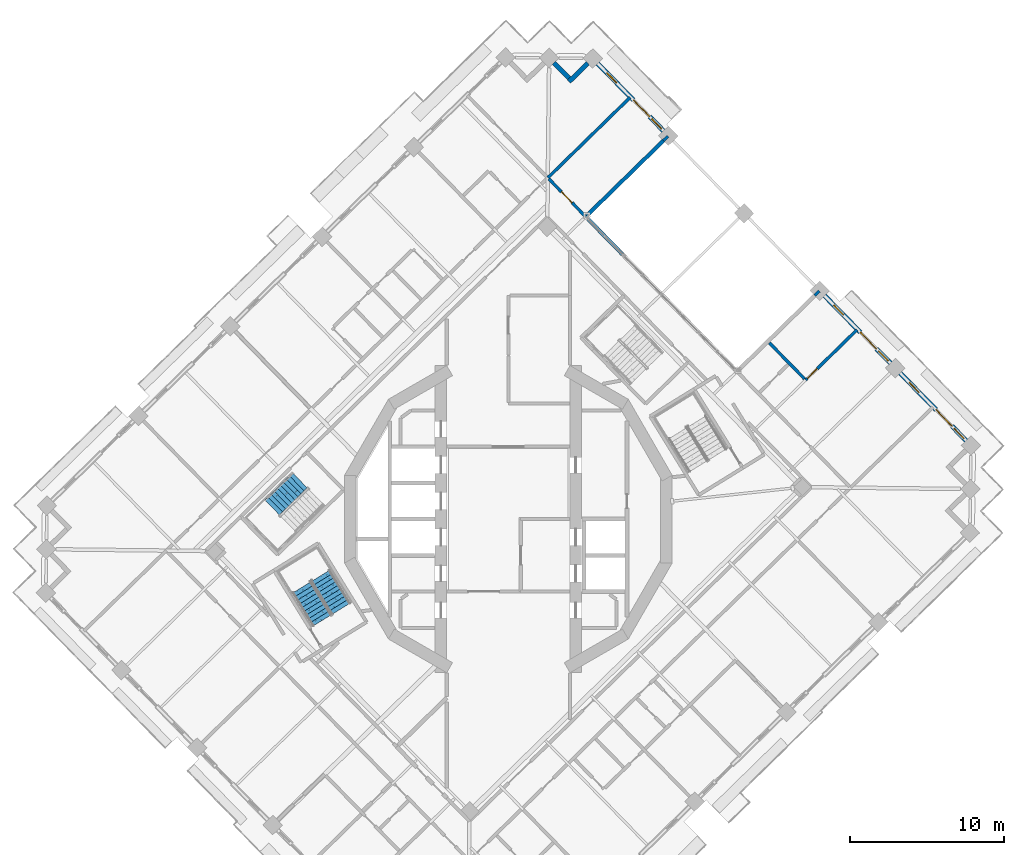
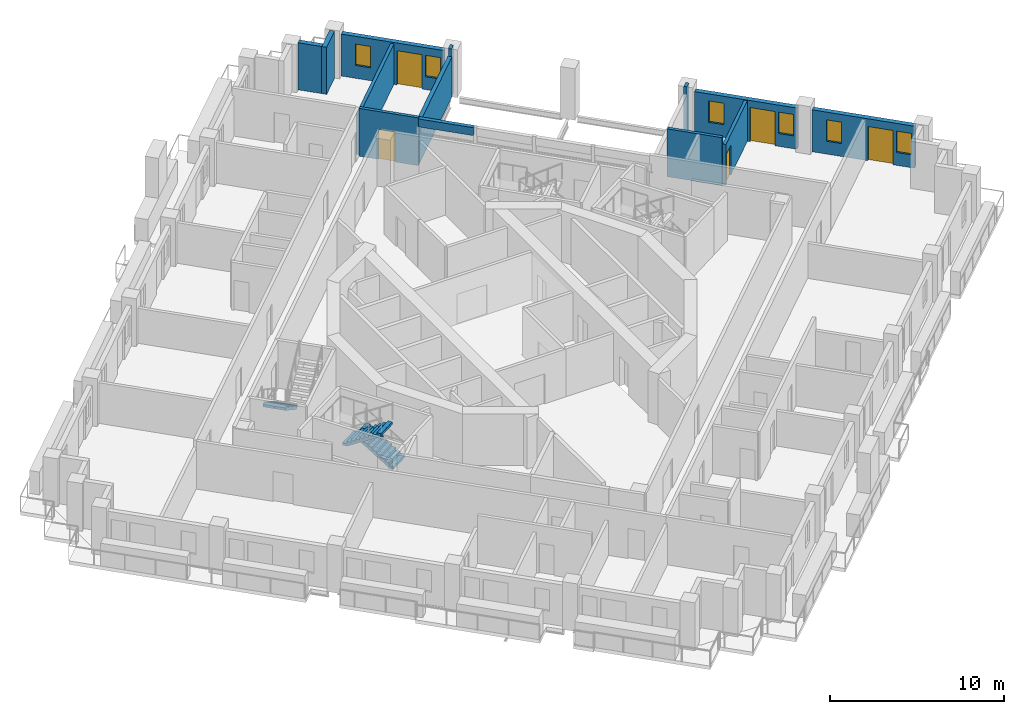
# One storey, part 13 of 20: 13 walls, 6 windows, 5 doors, 3 stair flights, 11 openings, 2 elements without a shape of their own.
"""IFC4 building model written with IfcOpenShell, lengths in metres."""

from ifc_helpers import new_model, si_unit, direction, frame, frame_2d, origin, place, context, subcontext, project, spatial, polyline, rectangle, outline, extrude, material, layer, layer_set, type_object, element, fill, aggregate, save


model = new_model("IFC4")

# Units and contexts
model_context = context("Model", 3, precision=1e-05, world=origin(), true_north=direction((0.0, 1.0)))
body_context = subcontext(model_context, "Body", "Model", "MODEL_VIEW")
ifc_project = project(units=[si_unit("LENGTHUNIT", "METRE"), si_unit("AREAUNIT", "SQUARE_METRE"), si_unit("VOLUMEUNIT", "CUBIC_METRE"), si_unit("PLANEANGLEUNIT", "RADIAN"), si_unit("MASSUNIT", "GRAM", prefix="KILO")], contexts=[model_context])

# Site, building, storey
site_placement = place(None, origin())
site = spatial("IfcSite", under=ifc_project, at=site_placement, CompositionType="ELEMENT")
building_placement = place(site_placement, origin())
building = spatial("IfcBuilding", under=site, at=building_placement, Name="Cantera Rosa Tower", CompositionType="ELEMENT")
storey_placement = place(building_placement, frame((0.0, 0.0, 212.60009765625)))
storey = spatial("IfcBuildingStorey", under=building, at=storey_placement, Name="L45", CompositionType="ELEMENT", Elevation=212.60009765625)

# Wall, opening, door
ifc_material_1 = material(Name="Gypsum board partition")
ifc_layer_1 = layer(ifc_material_1, 0.199951171875)
ifc_layer_set_1 = layer_set([ifc_layer_1], Name="CORRIDOR WALL 200 H3350")
wall_type_1 = type_object("IfcWallType", Name="CORRIDOR WALL 200 H3350", PredefinedType="PARTITIONING", material=ifc_layer_set_1)
wall_1_placement = place(storey_placement, frame((5.10302734375, 19.5322265625, 0.0), z_axis=(0.0, 0.0, 1.0), x_axis=(-0.698794436322, 0.715322539674, 0.0)))
wall_1 = element("IfcWall", 1, at=wall_1_placement, inside=storey, type_object=wall_type_1, Name="CORRIDOR WALL L45-128", PredefinedType="PARTITIONING", context=body_context, shape_type="SweptSolid", body=[
    extrude(rectangle(XDim=3.545166015625, YDim=0.199951171875, at=frame_2d((1.7724609375, 0.0))), origin(), (0.0, 0.0, 1.0), 3.349853515625),
])
opening_1_placement = place(wall_1_placement, frame((1.385009765625, 0.0, 0.0)))
opening_1 = element("IfcOpeningElement", 2, at=opening_1_placement, cuts=wall_1, Name="Opening L45-026", PredefinedType="OPENING", context=body_context, shape_type="SweptSolid", body=[
    extrude(rectangle(XDim=1.0, YDim=2.10009765625, at=frame_2d((0.5, 1.050048828125))), frame((0.0, 0.10986328125, 0.0), z_axis=(0.0, -1.0, 0.0), x_axis=(1.0, 0.0, 0.0)), (0.0, 0.0, 1.0), 0.219970703125),
])
ifc_material_2 = material(Name="Timber door leaf", Category="wood")
door_type_1 = type_object("IfcDoorType", Name="ROOM DOOR 1000x2100", OperationType="NOTDEFINED", PredefinedType="DOOR", material=ifc_material_2)
door_1_placement = place(opening_1_placement, origin())
door_1 = element("IfcDoor", 3, at=door_1_placement, inside=storey, type_object=door_type_1, Name="DOOR L45-026", OperationType="NOTDEFINED", OverallHeight=2.10009765625, OverallWidth=1.0, PredefinedType="DOOR", context=body_context, shape_type="SweptSolid", body=[
    extrude(rectangle(XDim=1.0, YDim=2.10009765625, at=frame_2d((0.5, 1.050048828125))), frame((0.0, 0.02490234375, 0.0), z_axis=(0.0, -1.0, 0.0), x_axis=(1.0, 0.0, 0.0)), (0.0, 0.0, 1.0), 0.050048828125),
])
fill(opening_1, door_1)

# Walls
ifc_material_3 = material(Name="Hollow clay masonry with cantera stone cladding", Category="masonry")
ifc_layer_2 = layer(ifc_material_3, 0.300048828125)
ifc_layer_set_2 = layer_set([ifc_layer_2], Name="EW-LOGGIA 300")
wall_type_2 = type_object("IfcWallType", Name="EW-LOGGIA 300", PredefinedType="SOLIDWALL", material=ifc_layer_set_2)
wall_2_placement = place(storey_placement, frame((5.15283203125, 29.56982421875, 0.0), z_axis=(0.0, 0.0, 1.0), x_axis=(-0.715316077832, -0.69880105094, 0.0)))
element("IfcWall", 4, at=wall_2_placement, inside=storey, type_object=wall_type_2, Name="EN-L45-W05a", PredefinedType="SOLIDWALL", context=body_context, shape_type="SweptSolid", body=[
    extrude(rectangle(XDim=1.699951171875, YDim=0.300048828125, at=frame_2d((0.85009765625, 0.0))), origin(), (0.0, 0.0, 1.0), 3.2998046875),
])
wall_3_placement = place(storey_placement, frame((3.939208984375, 28.593994140625, 0.0), z_axis=(0.0, 0.0, 1.0), x_axis=(-0.698861982187, 0.715256548278, 0.0)))
element("IfcWall", 5, at=wall_3_placement, inside=storey, type_object=wall_type_2, Name="EN-L45-W05b", PredefinedType="SOLIDWALL", context=body_context, shape_type="SweptSolid", body=[
    extrude(rectangle(XDim=1.39990234375, YDim=0.300048828125, at=frame_2d((0.699951171875, 0.0))), origin(), (0.0, 0.0, 1.0), 3.2998046875),
])

# Wall, openings, windows, door
ifc_material_4 = material(Name="Hollow clay masonry with cantera stone cladding", Category="masonry")
ifc_layer_3 = layer(ifc_material_4, 0.300048828125)
ifc_layer_set_3 = layer_set([ifc_layer_3], Name="EW-LOGGIA 300 H2890")
wall_type_3 = type_object("IfcWallType", Name="EW-LOGGIA 300 H2890", PredefinedType="SOLIDWALL", material=ifc_layer_set_3)
wall_4_placement = place(storey_placement, frame((24.783203125, 10.120849609375, 0.0), z_axis=(0.0, 0.0, 1.0), x_axis=(-0.698800768177, 0.715316354067, 0.0)))
wall_4 = element("IfcWall", 6, at=wall_4_placement, inside=storey, type_object=wall_type_3, Name="EN-L45-W01", PredefinedType="SOLIDWALL", context=body_context, shape_type="SweptSolid", body=[
    extrude(rectangle(XDim=6.119873046875, YDim=0.300048828125, at=frame_2d((3.06005859375, 0.0))), origin(), (0.0, 0.0, 1.0), 2.889892578125),
])
opening_2_placement = place(wall_4_placement, frame((0.199951171875, 0.0, 0.89990234375)))
opening_2 = element("IfcOpeningElement", 7, at=opening_2_placement, cuts=wall_4, Name="Opening L45-W01", PredefinedType="OPENING", context=body_context, shape_type="SweptSolid", body=[
    extrude(rectangle(XDim=0.89990234375, YDim=1.5, at=frame_2d((0.449951171875, 0.75))), frame((0.0, 0.159912109375, 0.0), z_axis=(0.0, -1.0, 0.0), x_axis=(1.0, 0.0, 0.0)), (0.0, 0.0, 1.0), 0.320068359375),
])
opening_3_placement = place(wall_4_placement, frame((1.300048828125, 0.0, 0.0)))
opening_3 = element("IfcOpeningElement", 8, at=opening_3_placement, cuts=wall_4, Name="Opening L45-TD02", PredefinedType="OPENING", context=body_context, shape_type="SweptSolid", body=[
    extrude(rectangle(XDim=1.5, YDim=2.39990234375, at=frame_2d((0.75, 1.199951171875))), frame((0.0, 0.159912109375, 0.0), z_axis=(0.0, -1.0, 0.0), x_axis=(1.0, 0.0, 0.0)), (0.0, 0.0, 1.0), 0.320068359375),
])
opening_4_placement = place(wall_4_placement, frame((4.364990234375, 0.0, 0.89990234375)))
opening_4 = element("IfcOpeningElement", 9, at=opening_4_placement, cuts=wall_4, Name="Opening L45-W03", PredefinedType="OPENING", context=body_context, shape_type="SweptSolid", body=[
    extrude(rectangle(XDim=0.89990234375, YDim=1.5, at=frame_2d((0.449951171875, 0.75))), frame((0.0, 0.159912109375, 0.0), z_axis=(0.0, -1.0, 0.0), x_axis=(1.0, 0.0, 0.0)), (0.0, 0.0, 1.0), 0.320068359375),
])
ifc_material_5 = material(Name="Aluminium frame with clear glass", Category="aluminium")
window_type = type_object("IfcWindowType", Name="Residential window 900x1500", PartitioningType="SINGLE_PANEL", PredefinedType="WINDOW", material=ifc_material_5)
window_1_placement = place(opening_2_placement, origin())
window_1 = element("IfcWindow", 10, at=window_1_placement, inside=storey, type_object=window_type, Name="WINDOW L45-W01", OverallHeight=1.5, OverallWidth=0.89990234375, PartitioningType="SINGLE_PANEL", PredefinedType="WINDOW", context=body_context, shape_type="SweptSolid", body=[
    extrude(rectangle(XDim=0.89990234375, YDim=1.5, at=frame_2d((0.449951171875, 0.75))), frame((0.0, 0.030029296875, 0.0), z_axis=(0.0, -1.0, 0.0), x_axis=(1.0, 0.0, 0.0)), (0.0, 0.0, 1.0), 0.06005859375),
])
fill(opening_2, window_1)
window_2_placement = place(opening_4_placement, origin())
window_2 = element("IfcWindow", 11, at=window_2_placement, inside=storey, type_object=window_type, Name="WINDOW L45-W03", OverallHeight=1.5, OverallWidth=0.89990234375, PartitioningType="SINGLE_PANEL", PredefinedType="WINDOW", context=body_context, shape_type="SweptSolid", body=[
    extrude(rectangle(XDim=0.89990234375, YDim=1.5, at=frame_2d((0.449951171875, 0.75))), frame((0.0, 0.030029296875, 0.0), z_axis=(0.0, -1.0, 0.0), x_axis=(1.0, 0.0, 0.0)), (0.0, 0.0, 1.0), 0.06005859375),
])
fill(opening_4, window_2)
ifc_material_6 = material(Name="Aluminium frame with clear glass", Category="aluminium")
door_type_2 = type_object("IfcDoorType", Name="TD-R 1500x2400", OperationType="NOTDEFINED", PredefinedType="DOOR", material=ifc_material_6)
door_2_placement = place(opening_3_placement, origin())
door_2 = element("IfcDoor", 12, at=door_2_placement, inside=storey, type_object=door_type_2, Name="LOGGIA DOOR L45-TD02", OperationType="SLIDING_TO_LEFT", OverallHeight=2.39990234375, OverallWidth=1.5, PredefinedType="DOOR", context=body_context, shape_type="SweptSolid", body=[
    extrude(rectangle(XDim=1.5, YDim=2.39990234375, at=frame_2d((0.75, 1.199951171875))), frame((0.0, 0.02490234375, 0.0), z_axis=(0.0, -1.0, 0.0), x_axis=(1.0, 0.0, 0.0)), (0.0, 0.0, 1.0), 0.050048828125),
])
fill(opening_3, door_2)

ifc_material_7 = material(Name="Hollow clay masonry with cantera stone cladding", Category="masonry")
ifc_layer_4 = layer(ifc_material_7, 0.300048828125)
ifc_layer_set_4 = layer_set([ifc_layer_4], Name="EW-LOGGIA 300 H2940")
wall_type_4 = type_object("IfcWallType", Name="EW-LOGGIA 300 H2940", PredefinedType="SOLIDWALL", material=ifc_layer_set_4)
wall_5_placement = place(storey_placement, frame((10.06591796875, 25.184814453125, 0.0), z_axis=(0.0, 0.0, 1.0), x_axis=(-0.69882117953, 0.715296413412, 0.0)))
wall_5 = element("IfcWall", 13, at=wall_5_placement, inside=storey, type_object=wall_type_4, Name="EN-L45-W04", PredefinedType="SOLIDWALL", context=body_context, shape_type="SweptSolid", body=[
    extrude(rectangle(XDim=6.1201171875, YDim=0.300048828125, at=frame_2d((3.06005859375, 0.0))), origin(), (0.0, 0.0, 1.0), 2.93994140625),
])
opening_5_placement = place(wall_5_placement, frame((0.199951171875, 0.0, 0.89990234375)))
opening_5 = element("IfcOpeningElement", 14, at=opening_5_placement, cuts=wall_5, Name="Opening L45-W04", PredefinedType="OPENING", context=body_context, shape_type="SweptSolid", body=[
    extrude(rectangle(XDim=0.89990234375, YDim=1.5, at=frame_2d((0.449951171875, 0.75))), frame((0.0, 0.159912109375, 0.0), z_axis=(0.0, -1.0, 0.0), x_axis=(1.0, 0.0, 0.0)), (0.0, 0.0, 1.0), 0.320068359375),
])
opening_6_placement = place(wall_5_placement, frame((1.300048828125, 0.0, 0.0)))
opening_6 = element("IfcOpeningElement", 15, at=opening_6_placement, cuts=wall_5, Name="Opening L45-TD05", PredefinedType="OPENING", context=body_context, shape_type="SweptSolid", body=[
    extrude(rectangle(XDim=1.5, YDim=2.39990234375, at=frame_2d((0.75, 1.199951171875))), frame((0.0, 0.159912109375, 0.0), z_axis=(0.0, -1.0, 0.0), x_axis=(1.0, 0.0, 0.0)), (0.0, 0.0, 1.0), 0.320068359375),
])
opening_7_placement = place(wall_5_placement, frame((4.364990234375, 0.0, 0.89990234375)))
opening_7 = element("IfcOpeningElement", 16, at=opening_7_placement, cuts=wall_5, Name="Opening L45-W06", PredefinedType="OPENING", context=body_context, shape_type="SweptSolid", body=[
    extrude(rectangle(XDim=0.89990234375, YDim=1.5, at=frame_2d((0.449951171875, 0.75))), frame((0.0, 0.159912109375, 0.0), z_axis=(0.0, -1.0, 0.0), x_axis=(1.0, 0.0, 0.0)), (0.0, 0.0, 1.0), 0.320068359375),
])
window_3_placement = place(opening_5_placement, origin())
window_3 = element("IfcWindow", 17, at=window_3_placement, inside=storey, type_object=window_type, Name="WINDOW L45-W04", OverallHeight=1.5, OverallWidth=0.89990234375, PartitioningType="SINGLE_PANEL", PredefinedType="WINDOW", context=body_context, shape_type="SweptSolid", body=[
    extrude(rectangle(XDim=0.89990234375, YDim=1.5, at=frame_2d((0.449951171875, 0.75))), frame((0.0, 0.030029296875, 0.0), z_axis=(0.0, -1.0, 0.0), x_axis=(1.0, 0.0, 0.0)), (0.0, 0.0, 1.0), 0.06005859375),
])
fill(opening_5, window_3)
window_4_placement = place(opening_7_placement, origin())
window_4 = element("IfcWindow", 18, at=window_4_placement, inside=storey, type_object=window_type, Name="WINDOW L45-W06", OverallHeight=1.5, OverallWidth=0.89990234375, PartitioningType="SINGLE_PANEL", PredefinedType="WINDOW", context=body_context, shape_type="SweptSolid", body=[
    extrude(rectangle(XDim=0.89990234375, YDim=1.5, at=frame_2d((0.449951171875, 0.75))), frame((0.0, 0.030029296875, 0.0), z_axis=(0.0, -1.0, 0.0), x_axis=(1.0, 0.0, 0.0)), (0.0, 0.0, 1.0), 0.06005859375),
])
fill(opening_7, window_4)
door_3_placement = place(opening_6_placement, origin())
door_3 = element("IfcDoor", 19, at=door_3_placement, inside=storey, type_object=door_type_2, Name="LOGGIA DOOR L45-TD05", OperationType="SLIDING_TO_LEFT", OverallHeight=2.39990234375, OverallWidth=1.5, PredefinedType="DOOR", context=body_context, shape_type="SweptSolid", body=[
    extrude(rectangle(XDim=1.5, YDim=2.39990234375, at=frame_2d((0.75, 1.199951171875))), frame((0.0, 0.02490234375, 0.0), z_axis=(0.0, -1.0, 0.0), x_axis=(1.0, 0.0, 0.0)), (0.0, 0.0, 1.0), 0.050048828125),
])
fill(opening_6, door_3)

wall_6_placement = place(storey_placement, frame((29.689208984375, 5.099609375, 0.0), z_axis=(0.0, 0.0, 1.0), x_axis=(-0.69882117953, 0.715296413412, 0.0)))
wall_6 = element("IfcWall", 20, at=wall_6_placement, inside=storey, type_object=wall_type_4, Name="EN-L45-W28", PredefinedType="SOLIDWALL", context=body_context, shape_type="SweptSolid", body=[
    extrude(rectangle(XDim=6.1201171875, YDim=0.300048828125, at=frame_2d((3.06005859375, 0.0))), origin(), (0.0, 0.0, 1.0), 2.93994140625),
])
opening_8_placement = place(wall_6_placement, frame((0.199951171875, 0.0, 0.89990234375)))
opening_8 = element("IfcOpeningElement", 21, at=opening_8_placement, cuts=wall_6, Name="Opening L45-W52", PredefinedType="OPENING", context=body_context, shape_type="SweptSolid", body=[
    extrude(rectangle(XDim=0.89990234375, YDim=1.5, at=frame_2d((0.449951171875, 0.75))), frame((0.0, 0.159912109375, 0.0), z_axis=(0.0, -1.0, 0.0), x_axis=(1.0, 0.0, 0.0)), (0.0, 0.0, 1.0), 0.320068359375),
])
opening_9_placement = place(wall_6_placement, frame((1.300048828125, 0.0, 0.0)))
opening_9 = element("IfcOpeningElement", 22, at=opening_9_placement, cuts=wall_6, Name="Opening L45-TD53", PredefinedType="OPENING", context=body_context, shape_type="SweptSolid", body=[
    extrude(rectangle(XDim=1.5, YDim=2.39990234375, at=frame_2d((0.75, 1.199951171875))), frame((0.0, 0.159912109375, 0.0), z_axis=(0.0, -1.0, 0.0), x_axis=(1.0, 0.0, 0.0)), (0.0, 0.0, 1.0), 0.320068359375),
])
opening_10_placement = place(wall_6_placement, frame((4.364990234375, 0.0, 0.89990234375)))
opening_10 = element("IfcOpeningElement", 23, at=opening_10_placement, cuts=wall_6, Name="Opening L45-W54", PredefinedType="OPENING", context=body_context, shape_type="SweptSolid", body=[
    extrude(rectangle(XDim=0.89990234375, YDim=1.5, at=frame_2d((0.449951171875, 0.75))), frame((0.0, 0.159912109375, 0.0), z_axis=(0.0, -1.0, 0.0), x_axis=(1.0, 0.0, 0.0)), (0.0, 0.0, 1.0), 0.320068359375),
])
window_5_placement = place(opening_8_placement, origin())
window_5 = element("IfcWindow", 24, at=window_5_placement, inside=storey, type_object=window_type, Name="WINDOW L45-W52", OverallHeight=1.5, OverallWidth=0.89990234375, PartitioningType="SINGLE_PANEL", PredefinedType="WINDOW", context=body_context, shape_type="SweptSolid", body=[
    extrude(rectangle(XDim=0.89990234375, YDim=1.5, at=frame_2d((0.449951171875, 0.75))), frame((0.0, 0.030029296875, 0.0), z_axis=(0.0, -1.0, 0.0), x_axis=(1.0, 0.0, 0.0)), (0.0, 0.0, 1.0), 0.06005859375),
])
fill(opening_8, window_5)
window_6_placement = place(opening_10_placement, origin())
window_6 = element("IfcWindow", 25, at=window_6_placement, inside=storey, type_object=window_type, Name="WINDOW L45-W54", OverallHeight=1.5, OverallWidth=0.89990234375, PartitioningType="SINGLE_PANEL", PredefinedType="WINDOW", context=body_context, shape_type="SweptSolid", body=[
    extrude(rectangle(XDim=0.89990234375, YDim=1.5, at=frame_2d((0.449951171875, 0.75))), frame((0.0, 0.030029296875, 0.0), z_axis=(0.0, -1.0, 0.0), x_axis=(1.0, 0.0, 0.0)), (0.0, 0.0, 1.0), 0.06005859375),
])
fill(opening_10, window_6)
door_4_placement = place(opening_9_placement, origin())
door_4 = element("IfcDoor", 26, at=door_4_placement, inside=storey, type_object=door_type_2, Name="LOGGIA DOOR L45-TD53", OperationType="SLIDING_TO_LEFT", OverallHeight=2.39990234375, OverallWidth=1.5, PredefinedType="DOOR", context=body_context, shape_type="SweptSolid", body=[
    extrude(rectangle(XDim=1.5, YDim=2.39990234375, at=frame_2d((0.75, 1.199951171875))), frame((0.0, 0.02490234375, 0.0), z_axis=(0.0, -1.0, 0.0), x_axis=(1.0, 0.0, 0.0)), (0.0, 0.0, 1.0), 0.050048828125),
])
fill(opening_9, door_4)

# Walls
ifc_material_8 = material(Name="Concrete C40/50", Category="concrete")
ifc_layer_5 = layer(ifc_material_8, 0.25)
ifc_layer_set_5 = layer_set([ifc_layer_5], Name="EW-POCKET CHEEK 250 H2820")
wall_type_5 = type_object("IfcWallType", Name="EW-POCKET CHEEK 250 H2820", PredefinedType="SOLIDWALL", material=ifc_layer_set_5)
wall_7_placement = place(storey_placement, frame((10.05859375, 24.548583984375, 0.0), z_axis=(0.0, 0.0, 1.0), x_axis=(-0.715278984135, -0.69883901927, 0.0)))
element("IfcWall", 27, at=wall_7_placement, inside=storey, type_object=wall_type_5, Name="POCKET CHEEK B L45", PredefinedType="SOLIDWALL", context=body_context, shape_type="SweptSolid", body=[
    extrude(rectangle(XDim=6.949951171875, YDim=0.25, at=frame_2d((3.47509765625, 0.0))), origin(), (0.0, 0.0, 1.0), 2.81982421875),
])
ifc_material_9 = material(Name="Hollow clay masonry with cantera stone cladding", Category="masonry")
ifc_layer_6 = layer(ifc_material_9, 0.25)
ifc_layer_set_6 = layer_set([ifc_layer_6], Name="EW-POCKET REAR 250")
wall_type_6 = type_object("IfcWallType", Name="EW-POCKET REAR 250", PredefinedType="SOLIDWALL", material=ifc_layer_set_6)
wall_8_placement = place(storey_placement, frame((7.40087890625, 17.180419921875, 2.741943359375), z_axis=(0.0, 0.0, 1.0), x_axis=(-0.698854395977, 0.715263960523, 0.0)))
element("IfcWall", 28, at=wall_8_placement, inside=storey, type_object=wall_type_6, Name="POCKET SPANDREL L45-4", PredefinedType="SOLIDWALL", context=body_context, shape_type="SweptSolid", body=[
    extrude(rectangle(XDim=3.2880859375, YDim=0.25, at=frame_2d((1.64404296875, 0.0))), origin(), (0.0, 0.0, 1.0), 0.557861328125),
])

# Wall, opening, door
ifc_material_10 = material(Name="Gypsum board partition")
ifc_layer_7 = layer(ifc_material_10, 0.199951171875)
ifc_layer_set_7 = layer_set([ifc_layer_7], Name="PARTITION 200 H2850")
wall_type_7 = type_object("IfcWallType", Name="PARTITION 200 H2850", PredefinedType="PARTITIONING", material=ifc_layer_set_7)
wall_9_placement = place(storey_placement, frame((22.623291015625, 12.288818359375, 0.0), z_axis=(0.0, 0.0, 1.0), x_axis=(-0.715241248144, -0.698877640903, 0.0)))
wall_9 = element("IfcWall", 29, at=wall_9_placement, inside=storey, type_object=wall_type_7, Name="PARTITION L45-129", PredefinedType="PARTITIONING", context=body_context, shape_type="SweptSolid", body=[
    extrude(rectangle(XDim=4.669921875, YDim=0.199951171875, at=frame_2d((2.3349609375, 0.0))), origin(), (0.0, 0.0, 1.0), 2.849853515625),
])
opening_11_placement = place(wall_9_placement, frame((3.6201171875, 0.0, 0.0)))
opening_11 = element("IfcOpeningElement", 30, at=opening_11_placement, cuts=wall_9, Name="Opening L45-025", PredefinedType="OPENING", context=body_context, shape_type="SweptSolid", body=[
    extrude(rectangle(XDim=0.89990234375, YDim=2.10009765625, at=frame_2d((0.449951171875, 1.050048828125))), frame((0.0, 0.10986328125, 0.0), z_axis=(0.0, -1.0, 0.0), x_axis=(1.0, 0.0, 0.0)), (0.0, 0.0, 1.0), 0.219970703125),
])
ifc_material_11 = material(Name="Timber door leaf", Category="wood")
door_type_3 = type_object("IfcDoorType", Name="ROOM DOOR 900x2100", OperationType="NOTDEFINED", PredefinedType="DOOR", material=ifc_material_11)
door_5_placement = place(opening_11_placement, origin())
door_5 = element("IfcDoor", 31, at=door_5_placement, inside=storey, type_object=door_type_3, Name="DOOR L45-025", OperationType="NOTDEFINED", OverallHeight=2.10009765625, OverallWidth=0.89990234375, PredefinedType="DOOR", context=body_context, shape_type="SweptSolid", body=[
    extrude(rectangle(XDim=0.89990234375, YDim=2.10009765625, at=frame_2d((0.449951171875, 1.050048828125))), frame((0.0, 0.02490234375, 0.0), z_axis=(0.0, -1.0, 0.0), x_axis=(1.0, 0.0, 0.0)), (0.0, 0.0, 1.0), 0.050048828125),
])
fill(opening_11, door_5)

# Walls
ifc_material_12 = material(Name="Gypsum board partition")
ifc_layer_8 = layer(ifc_material_12, 0.199951171875)
ifc_layer_set_8 = layer_set([ifc_layer_8], Name="PARTITION 200 H3350")
wall_type_8 = type_object("IfcWallType", Name="PARTITION 200 H3350", PredefinedType="PARTITIONING", material=ifc_layer_set_8)
for number, where, z_axis, x_axis, name in (
    (32, (10.35888671875, 24.842041015625, 0.0), (0.0, 0.0, 1.0), (-0.715200413867, -0.698919428836, 0.0), "PARTITION L45-103"),
    (33, (19.8701171875, 14.505859375, 0.0), (0.0, 0.0, 1.0), (0.715200413867, 0.698919428836, 0.0), "PARTITION L45-114"),
):
    element("IfcWall", number, at=place(storey_placement, frame(where, z_axis=z_axis, x_axis=x_axis)), inside=storey, type_object=wall_type_8, Name=name, PredefinedType="PARTITIONING", context=body_context, shape_type="SweptSolid", body=[
        extrude(rectangle(XDim=0.419921875, YDim=0.199951171875, at=frame_2d((0.2099609375, 0.0))), origin(), (0.0, 0.0, 1.0), 3.349853515625),
    ])
wall_10_placement = place(storey_placement, frame((16.924560546875, 11.439208984375, 0.0), z_axis=(0.0, 0.0, 1.0), x_axis=(0.698821145495, -0.715296446663, 0.0)))
element("IfcWall", 34, at=wall_10_placement, inside=storey, type_object=wall_type_8, Name="PARTITION L45-118", PredefinedType="PARTITIONING", context=body_context, shape_type="SweptSolid", body=[
    extrude(rectangle(XDim=3.27490234375, YDim=0.199951171875, at=frame_2d((1.637451171875, 0.0))), origin(), (0.0, 0.0, 1.0), 3.349853515625),
])
ifc_material_13 = material(Name="Gypsum board partition")
ifc_layer_9 = layer(ifc_material_13, 0.199951171875)
ifc_layer_set_9 = layer_set([ifc_layer_9], Name="PARTY WALL 200 H2850")
wall_type_9 = type_object("IfcWallType", Name="PARTY WALL 200 H2850", PredefinedType="PARTITIONING", material=ifc_layer_set_9)
wall_11_placement = place(storey_placement, frame((2.5703125, 22.153564453125, 0.0), z_axis=(0.0, 0.0, 1.0), x_axis=(0.715284364496, 0.698833512296, 0.0)))
element("IfcWall", 35, at=wall_11_placement, inside=storey, type_object=wall_type_9, Name="PARTY WALL L45-075", PredefinedType="PARTITIONING", context=body_context, shape_type="SweptSolid", body=[
    extrude(rectangle(XDim=7.449951171875, YDim=0.199951171875, at=frame_2d((3.72509765625, 0.0))), origin(), (0.0, 0.0, 1.0), 2.849853515625),
])

# Stair, stair flight
ifc_material_14 = material(Name="Concrete C35/45", Category="concrete")
stair_type = type_object("IfcStairType", Name="EXIT STAIR 1350 DOGLEG", PredefinedType="HALF_TURN_STAIR", material=ifc_material_14)
stair_1_placement = place(storey_placement, origin())
stair_1 = element("IfcStair", 36, at=stair_1_placement, inside=storey, type_object=stair_type, Name="L45 ST-43", PredefinedType="HALF_TURN_STAIR")
ifc_material_15 = material(Name="Concrete C35/45", Category="concrete")
stair_flight_type = type_object("IfcStairFlightType", Name="STAIR FLIGHT 1350 R20x180", PredefinedType="STRAIGHT", material=ifc_material_15)
stair_flight_1_placement = place(storey_placement, frame((-13.522705078125, 2.514892578125, 0.0), z_axis=(0.0, 0.0, 1.0), x_axis=(-0.715286295132, -0.698831536207, 0.0)))
stair_flight_1 = element("IfcStairFlight", 37, at=stair_flight_1_placement, type_object=stair_flight_type, Name="ST-43 flight 1", NumberOfRisers=10, NumberOfTreads=9, PredefinedType="STRAIGHT", RiserHeight=0.18, TreadLength=0.28, context=body_context, shape_type="SweptSolid", body=[
    extrude(outline(polyline([(0.0, 0.0), (0.0, 0.179931640625), (0.280029296875, 0.179931640625), (0.280029296875, 0.360107421875), (0.56005859375, 0.360107421875), (0.56005859375, 0.5400390625), (0.840087890625, 0.5400390625), (0.840087890625, 0.719970703125), (1.1201171875, 0.719970703125), (1.1201171875, 0.89990234375), (1.39990234375, 0.89990234375), (1.39990234375, 1.080078125), (1.679931640625, 1.080078125), (1.679931640625, 1.260009765625), (1.9599609375, 1.260009765625), (1.9599609375, 1.43994140625), (2.239990234375, 1.43994140625), (2.239990234375, 1.6201171875), (2.52001953125, 1.6201171875), (2.52001953125, 1.800048828125), (2.52001953125, 1.44189453125), (0.277099609375, 0.0), (0.0, 0.0)])), frame((0.0, 0.675048828125, 0.0), z_axis=(0.0, -1.0, 0.0), x_axis=(1.0, 0.0, 0.0)), (0.0, 0.0, 1.0), 0.3359375),
    extrude(outline(polyline([(0.0, 0.0), (0.0, 0.179931640625), (0.280029296875, 0.179931640625), (0.280029296875, 0.360107421875), (0.56005859375, 0.360107421875), (0.56005859375, 0.5400390625), (0.840087890625, 0.5400390625), (0.840087890625, 0.719970703125), (1.1201171875, 0.719970703125), (1.1201171875, 0.89990234375), (1.39990234375, 0.89990234375), (1.39990234375, 1.080078125), (1.679931640625, 1.080078125), (1.679931640625, 1.260009765625), (1.9599609375, 1.260009765625), (1.9599609375, 1.43994140625), (2.239990234375, 1.43994140625), (2.239990234375, 1.6201171875), (2.52001953125, 1.6201171875), (2.52001953125, 1.800048828125), (2.52001953125, 1.44189453125), (0.277099609375, 0.0), (0.0, 0.0)])), frame((0.0, 0.337158203125, 0.0), z_axis=(0.0, -1.0, 0.0), x_axis=(1.0, 0.0, 0.0)), (0.0, 0.0, 1.0), 0.3359375),
    extrude(outline(polyline([(0.0, 0.0), (0.0, 0.179931640625), (0.280029296875, 0.179931640625), (0.280029296875, 0.360107421875), (0.56005859375, 0.360107421875), (0.56005859375, 0.5400390625), (0.840087890625, 0.5400390625), (0.840087890625, 0.719970703125), (1.1201171875, 0.719970703125), (1.1201171875, 0.89990234375), (1.39990234375, 0.89990234375), (1.39990234375, 1.080078125), (1.679931640625, 1.080078125), (1.679931640625, 1.260009765625), (1.9599609375, 1.260009765625), (1.9599609375, 1.43994140625), (2.239990234375, 1.43994140625), (2.239990234375, 1.6201171875), (2.52001953125, 1.6201171875), (2.52001953125, 1.800048828125), (2.52001953125, 1.44189453125), (0.277099609375, 0.0), (0.0, 0.0)])), frame((0.0, -0.000732421875, 0.0), z_axis=(0.0, -1.0, 0.0), x_axis=(1.0, 0.0, 0.0)), (0.0, 0.0, 1.0), 0.3359375),
    extrude(outline(polyline([(0.0, 0.0), (0.0, 0.179931640625), (0.280029296875, 0.179931640625), (0.280029296875, 0.360107421875), (0.56005859375, 0.360107421875), (0.56005859375, 0.5400390625), (0.840087890625, 0.5400390625), (0.840087890625, 0.719970703125), (1.1201171875, 0.719970703125), (1.1201171875, 0.89990234375), (1.39990234375, 0.89990234375), (1.39990234375, 1.080078125), (1.679931640625, 1.080078125), (1.679931640625, 1.260009765625), (1.9599609375, 1.260009765625), (1.9599609375, 1.43994140625), (2.239990234375, 1.43994140625), (2.239990234375, 1.6201171875), (2.52001953125, 1.6201171875), (2.52001953125, 1.800048828125), (2.52001953125, 1.44189453125), (0.277099609375, 0.0), (0.0, 0.0)])), frame((0.0, -0.338623046875, 0.0), z_axis=(0.0, -1.0, 0.0), x_axis=(1.0, 0.0, 0.0)), (0.0, 0.0, 1.0), 0.3359375),
])
aggregate(stair_1, [stair_flight_1])

# Stair, stair flights
stair_2_placement = place(storey_placement, origin())
stair_2 = element("IfcStair", 38, at=stair_2_placement, inside=storey, type_object=stair_type, Name="L45 ST-44", PredefinedType="HALF_TURN_STAIR")
stair_flight_2_placement = place(storey_placement, frame((-10.82666015625, -5.7978515625, 0.0), z_axis=(0.0, 0.0, 1.0), x_axis=(-0.524976585286, 0.851116669383, 0.0)))
stair_flight_2 = element("IfcStairFlight", 39, at=stair_flight_2_placement, type_object=stair_flight_type, Name="ST-44 flight 1", NumberOfRisers=10, NumberOfTreads=9, PredefinedType="STRAIGHT", RiserHeight=0.18, TreadLength=0.28, context=body_context, shape_type="SweptSolid", body=[
    extrude(outline(polyline([(0.0, 0.0), (0.0, 0.179931640625), (0.280029296875, 0.179931640625), (0.280029296875, 0.360107421875), (0.56005859375, 0.360107421875), (0.56005859375, 0.5400390625), (0.840087890625, 0.5400390625), (0.840087890625, 0.719970703125), (1.1201171875, 0.719970703125), (1.1201171875, 0.89990234375), (1.39990234375, 0.89990234375), (1.39990234375, 1.080078125), (1.679931640625, 1.080078125), (1.679931640625, 1.260009765625), (1.9599609375, 1.260009765625), (1.9599609375, 1.43994140625), (2.239990234375, 1.43994140625), (2.239990234375, 1.6201171875), (2.52001953125, 1.6201171875), (2.52001953125, 1.800048828125), (2.52001953125, 1.44189453125), (0.277099609375, 0.0), (0.0, 0.0)])), frame((0.0, 0.675048828125, 0.0), z_axis=(0.0, -1.0, 0.0), x_axis=(1.0, 0.0, 0.0)), (0.0, 0.0, 1.0), 0.3359375),
    extrude(outline(polyline([(0.0, 0.0), (0.0, 0.179931640625), (0.280029296875, 0.179931640625), (0.280029296875, 0.360107421875), (0.56005859375, 0.360107421875), (0.56005859375, 0.5400390625), (0.840087890625, 0.5400390625), (0.840087890625, 0.719970703125), (1.1201171875, 0.719970703125), (1.1201171875, 0.89990234375), (1.39990234375, 0.89990234375), (1.39990234375, 1.080078125), (1.679931640625, 1.080078125), (1.679931640625, 1.260009765625), (1.9599609375, 1.260009765625), (1.9599609375, 1.43994140625), (2.239990234375, 1.43994140625), (2.239990234375, 1.6201171875), (2.52001953125, 1.6201171875), (2.52001953125, 1.800048828125), (2.52001953125, 1.44189453125), (0.277099609375, 0.0), (0.0, 0.0)])), frame((0.0, 0.337158203125, 0.0), z_axis=(0.0, -1.0, 0.0), x_axis=(1.0, 0.0, 0.0)), (0.0, 0.0, 1.0), 0.3359375),
    extrude(outline(polyline([(0.0, 0.0), (0.0, 0.179931640625), (0.280029296875, 0.179931640625), (0.280029296875, 0.360107421875), (0.56005859375, 0.360107421875), (0.56005859375, 0.5400390625), (0.840087890625, 0.5400390625), (0.840087890625, 0.719970703125), (1.1201171875, 0.719970703125), (1.1201171875, 0.89990234375), (1.39990234375, 0.89990234375), (1.39990234375, 1.080078125), (1.679931640625, 1.080078125), (1.679931640625, 1.260009765625), (1.9599609375, 1.260009765625), (1.9599609375, 1.43994140625), (2.239990234375, 1.43994140625), (2.239990234375, 1.6201171875), (2.52001953125, 1.6201171875), (2.52001953125, 1.800048828125), (2.52001953125, 1.44189453125), (0.277099609375, 0.0), (0.0, 0.0)])), frame((0.0, -0.000732421875, 0.0), z_axis=(0.0, -1.0, 0.0), x_axis=(1.0, 0.0, 0.0)), (0.0, 0.0, 1.0), 0.3359375),
    extrude(outline(polyline([(0.0, 0.0), (0.0, 0.179931640625), (0.280029296875, 0.179931640625), (0.280029296875, 0.360107421875), (0.56005859375, 0.360107421875), (0.56005859375, 0.5400390625), (0.840087890625, 0.5400390625), (0.840087890625, 0.719970703125), (1.1201171875, 0.719970703125), (1.1201171875, 0.89990234375), (1.39990234375, 0.89990234375), (1.39990234375, 1.080078125), (1.679931640625, 1.080078125), (1.679931640625, 1.260009765625), (1.9599609375, 1.260009765625), (1.9599609375, 1.43994140625), (2.239990234375, 1.43994140625), (2.239990234375, 1.6201171875), (2.52001953125, 1.6201171875), (2.52001953125, 1.800048828125), (2.52001953125, 1.44189453125), (0.277099609375, 0.0), (0.0, 0.0)])), frame((0.0, -0.338623046875, 0.0), z_axis=(0.0, -1.0, 0.0), x_axis=(1.0, 0.0, 0.0)), (0.0, 0.0, 1.0), 0.3359375),
])
stair_flight_3_placement = place(storey_placement, frame((-13.42626953125, -4.4404296875, 1.7998046875), z_axis=(0.0, 0.0, 1.0), x_axis=(0.524976585286, -0.851116669383, 0.0)))
stair_flight_3 = element("IfcStairFlight", 40, at=stair_flight_3_placement, type_object=stair_flight_type, Name="ST-44 flight 2", NumberOfRisers=10, NumberOfTreads=9, PredefinedType="STRAIGHT", RiserHeight=0.18, TreadLength=0.28, context=body_context, shape_type="SweptSolid", body=[
    extrude(outline(polyline([(0.0, 0.0), (0.0, 0.179931640625), (0.280029296875, 0.179931640625), (0.280029296875, 0.360107421875), (0.56005859375, 0.360107421875), (0.56005859375, 0.5400390625), (0.840087890625, 0.5400390625), (0.840087890625, 0.719970703125), (1.1201171875, 0.719970703125), (1.1201171875, 0.89990234375), (1.39990234375, 0.89990234375), (1.39990234375, 1.080078125), (1.679931640625, 1.080078125), (1.679931640625, 1.260009765625), (1.9599609375, 1.260009765625), (1.9599609375, 1.43994140625), (2.239990234375, 1.43994140625), (2.239990234375, 1.6201171875), (2.52001953125, 1.6201171875), (2.52001953125, 1.800048828125), (2.52001953125, 1.44189453125), (0.277099609375, 0.0), (0.0, 0.0)])), frame((0.0, 0.675048828125, 0.0), z_axis=(0.0, -1.0, 0.0), x_axis=(1.0, 0.0, 0.0)), (0.0, 0.0, 1.0), 0.3359375),
    extrude(outline(polyline([(0.0, 0.0), (0.0, 0.179931640625), (0.280029296875, 0.179931640625), (0.280029296875, 0.360107421875), (0.56005859375, 0.360107421875), (0.56005859375, 0.5400390625), (0.840087890625, 0.5400390625), (0.840087890625, 0.719970703125), (1.1201171875, 0.719970703125), (1.1201171875, 0.89990234375), (1.39990234375, 0.89990234375), (1.39990234375, 1.080078125), (1.679931640625, 1.080078125), (1.679931640625, 1.260009765625), (1.9599609375, 1.260009765625), (1.9599609375, 1.43994140625), (2.239990234375, 1.43994140625), (2.239990234375, 1.6201171875), (2.52001953125, 1.6201171875), (2.52001953125, 1.800048828125), (2.52001953125, 1.44189453125), (0.277099609375, 0.0), (0.0, 0.0)])), frame((0.0, 0.337158203125, 0.0), z_axis=(0.0, -1.0, 0.0), x_axis=(1.0, 0.0, 0.0)), (0.0, 0.0, 1.0), 0.3359375),
    extrude(outline(polyline([(0.0, 0.0), (0.0, 0.179931640625), (0.280029296875, 0.179931640625), (0.280029296875, 0.360107421875), (0.56005859375, 0.360107421875), (0.56005859375, 0.5400390625), (0.840087890625, 0.5400390625), (0.840087890625, 0.719970703125), (1.1201171875, 0.719970703125), (1.1201171875, 0.89990234375), (1.39990234375, 0.89990234375), (1.39990234375, 1.080078125), (1.679931640625, 1.080078125), (1.679931640625, 1.260009765625), (1.9599609375, 1.260009765625), (1.9599609375, 1.43994140625), (2.239990234375, 1.43994140625), (2.239990234375, 1.6201171875), (2.52001953125, 1.6201171875), (2.52001953125, 1.800048828125), (2.52001953125, 1.44189453125), (0.277099609375, 0.0), (0.0, 0.0)])), frame((0.0, -0.000732421875, 0.0), z_axis=(0.0, -1.0, 0.0), x_axis=(1.0, 0.0, 0.0)), (0.0, 0.0, 1.0), 0.3359375),
    extrude(outline(polyline([(0.0, 0.0), (0.0, 0.179931640625), (0.280029296875, 0.179931640625), (0.280029296875, 0.360107421875), (0.56005859375, 0.360107421875), (0.56005859375, 0.5400390625), (0.840087890625, 0.5400390625), (0.840087890625, 0.719970703125), (1.1201171875, 0.719970703125), (1.1201171875, 0.89990234375), (1.39990234375, 0.89990234375), (1.39990234375, 1.080078125), (1.679931640625, 1.080078125), (1.679931640625, 1.260009765625), (1.9599609375, 1.260009765625), (1.9599609375, 1.43994140625), (2.239990234375, 1.43994140625), (2.239990234375, 1.6201171875), (2.52001953125, 1.6201171875), (2.52001953125, 1.800048828125), (2.52001953125, 1.44189453125), (0.277099609375, 0.0), (0.0, 0.0)])), frame((0.0, -0.338623046875, 0.0), z_axis=(0.0, -1.0, 0.0), x_axis=(1.0, 0.0, 0.0)), (0.0, 0.0, 1.0), 0.3359375),
])
aggregate(stair_2, [stair_flight_2, stair_flight_3])

save(model, "model.ifc")
